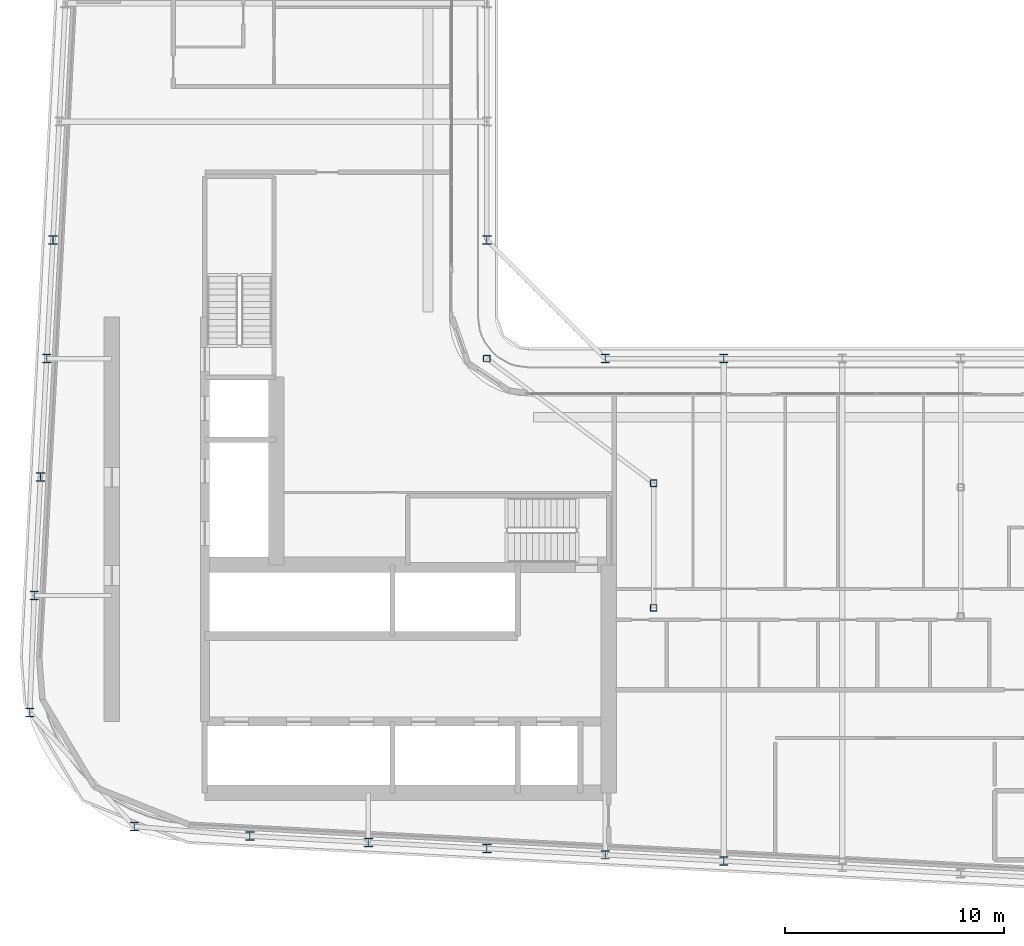
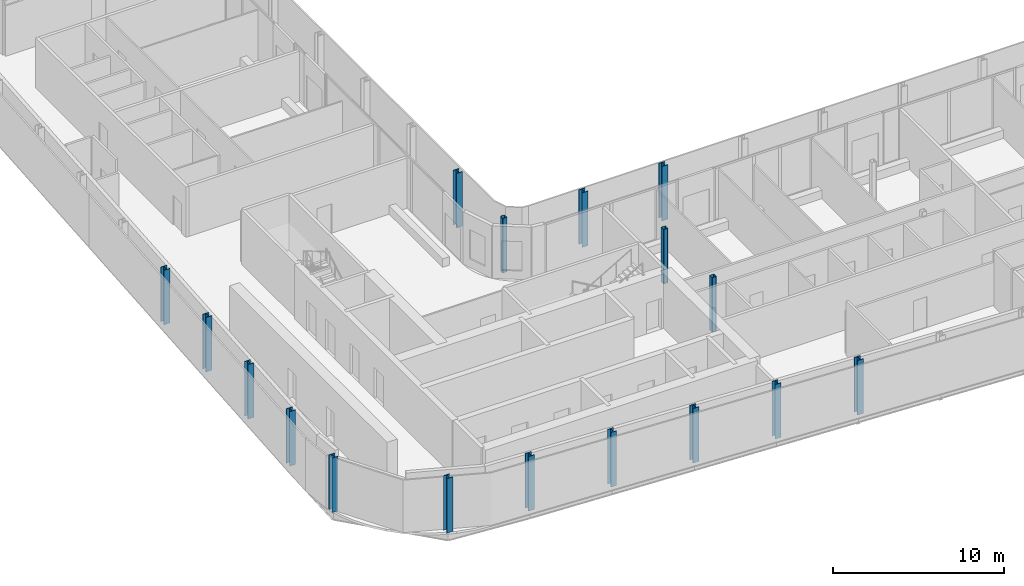
# One storey, part 1 of 21: 17 columns.
"""IFC4 building model written with IfcOpenShell, lengths in metres."""

from ifc_helpers import new_model, si_unit, direction, frame, origin, origin_2d, place, context, subcontext, project, spatial, hollow_rectangle, i_section, extrude, material, material_profile, profile_set, type_object, element, save


model = new_model("IFC4")

# Units and contexts
model_context = context("Model", 3, precision=1e-05, world=origin(), true_north=direction((0.0, 1.0)))
body_context = subcontext(model_context, "Body", "Model", "MODEL_VIEW")
ifc_project = project(units=[si_unit("LENGTHUNIT", "METRE"), si_unit("AREAUNIT", "SQUARE_METRE"), si_unit("VOLUMEUNIT", "CUBIC_METRE"), si_unit("PLANEANGLEUNIT", "RADIAN"), si_unit("MASSUNIT", "GRAM", prefix="KILO")], contexts=[model_context])

# Site, building, storey
site_placement = place(None, origin())
site = spatial("IfcSite", under=ifc_project, at=site_placement, CompositionType="ELEMENT")
building_placement = place(site_placement, origin())
building = spatial("IfcBuilding", under=site, at=building_placement, Name="Kheshtan School and Residences Tower", CompositionType="ELEMENT")
storey_placement = place(building_placement, frame((0.0, 0.0, 224.0)))
storey = spatial("IfcBuildingStorey", under=building, at=storey_placement, Name="L52", CompositionType="ELEMENT", Elevation=224.0)

# Columns
ifc_material_1 = material(Name="Steel ASTM A992 Grade 50", Category="steel")
ifc_material_profile_1 = material_profile(ifc_material_1, i_section(OverallWidth=0.404052734375, OverallDepth=0.406982421875, WebThickness=0.027099609375, FlangeThickness=0.043701171875, FilletRadius=0.01220703125, at=origin_2d()), Name="W360x347")
ifc_profile_set_1 = profile_set([ifc_material_profile_1], Name="Steel ASTM A992 Grade 50")
column_type_1 = type_object("IfcColumnType", Name="Column C4 W360x347 ASTM A992 Grade 50", PredefinedType="COLUMN", material=ifc_profile_set_1)
for number, where, z_axis, x_axis, name in (
    (1, (58.39990234375, 22.695068359375, 0.0), (0.0, 0.0, 1.0), (1.0, 0.0, 0.0), "Column C018"),
    (2, (53.0, 22.97998046875, 0.0), (0.0, 0.0, 1.0), (1.0, 0.0, 0.0), "Column C019"),
    (3, (47.60009765625, 23.263916015625, 0.0), (0.0, 0.0, 1.0), (1.0, 0.0, 0.0), "Column C020"),
    (4, (42.199951171875, 23.548095703125, 0.0), (0.0, 0.0, 1.0), (1.0, 0.0, 0.0), "Column C021"),
    (5, (36.800048828125, 23.83203125, 0.0), (0.0, 0.0, 1.0), (1.0, 0.0, 0.0), "Column C022"),
    (6, (31.52587890625, 24.27099609375, 0.0), (0.0, 0.0, 1.0), (1.0, 0.0, 0.0), "Column C027"),
    (7, (26.764892578125, 29.4599609375, 0.0), (0.0, 0.0, 1.0), (1.0, 0.0, 0.0), "Column C040"),
    (8, (26.968994140625, 34.800048828125, 0.0), (0.0, 0.0, 1.0), (1.0, 0.0, 0.0), "Column C052"),
    (9, (27.2529296875, 40.199951171875, 0.0), (0.0, 0.0, 1.0), (1.0, 0.0, 0.0), "Column C056"),
    (10, (27.537109375, 45.60009765625, 0.0), (0.0, 0.0, 1.0), (1.0, 0.0, 0.0), "Column C059"),
    (11, (53.0, 45.60009765625, 0.0), (0.0, 0.0, 1.0), (1.0, 0.0, 0.0), "Column C061"),
    (12, (58.39990234375, 45.60009765625, 0.0), (0.0, 0.0, 1.0), (1.0, 0.0, 0.0), "Column C062"),
    (13, (27.822021484375, 51.0, 0.0), (0.0, 0.0, 1.0), (1.0, 0.0, 0.0), "Column C078"),
    (14, (47.60009765625, 51.0, 0.0), (0.0, 0.0, 1.0), (1.0, 0.0, 0.0), "Column C079"),
):
    element("IfcColumn", number, at=place(storey_placement, frame(where, z_axis=z_axis, x_axis=x_axis)), inside=storey, type_object=column_type_1, Name=name, PredefinedType="COLUMN", context=body_context, shape_type="SweptSolid", body=[
        extrude(i_section(OverallWidth=0.404052734375, OverallDepth=0.406982421875, WebThickness=0.027099609375, FlangeThickness=0.043701171875, FilletRadius=0.01220703125, at=origin_2d()), origin(), (0.0, 0.0, 1.0), 3.89990234375),
    ])
ifc_material_2 = material(Name="Steel ASTM A500 Grade C", Category="steel")
ifc_material_profile_2 = material_profile(ifc_material_2, hollow_rectangle(XDim=0.304931640625, YDim=0.304931640625, WallThickness=0.015869140625, InnerFilletRadius=0.015869140625, OuterFilletRadius=0.03173828125, at=origin_2d()), Name="HSS 305x305x15.9")
ifc_profile_set_2 = profile_set([ifc_material_profile_2], Name="Steel ASTM A500 Grade C")
column_type_2 = type_object("IfcColumnType", Name="Column IC2 HSS 305x305x15.9 ASTM A500 Grade C", PredefinedType="COLUMN", material=ifc_profile_set_2)
for number, where, z_axis, x_axis, name in (
    (15, (55.199951171875, 34.23193359375, 0.0), (0.0, 0.0, 1.0), (1.0, 0.0, 0.0), "Column C051"),
    (16, (55.199951171875, 39.916015625, 0.0), (0.0, 0.0, 1.0), (1.0, 0.0, 0.0), "Column C055"),
    (17, (47.60009765625, 45.60009765625, 0.0), (0.0, 0.0, 1.0), (1.0, 0.0, 0.0), "Column C060"),
):
    element("IfcColumn", number, at=place(storey_placement, frame(where, z_axis=z_axis, x_axis=x_axis)), inside=storey, type_object=column_type_2, Name=name, PredefinedType="COLUMN", context=body_context, shape_type="SweptSolid", body=[
        extrude(hollow_rectangle(XDim=0.304931640625, YDim=0.304931640625, WallThickness=0.015869140625, InnerFilletRadius=0.015869140625, OuterFilletRadius=0.03173828125, at=origin_2d()), origin(), (0.0, 0.0, 1.0), 3.89990234375),
    ])

save(model, "model.ifc")
